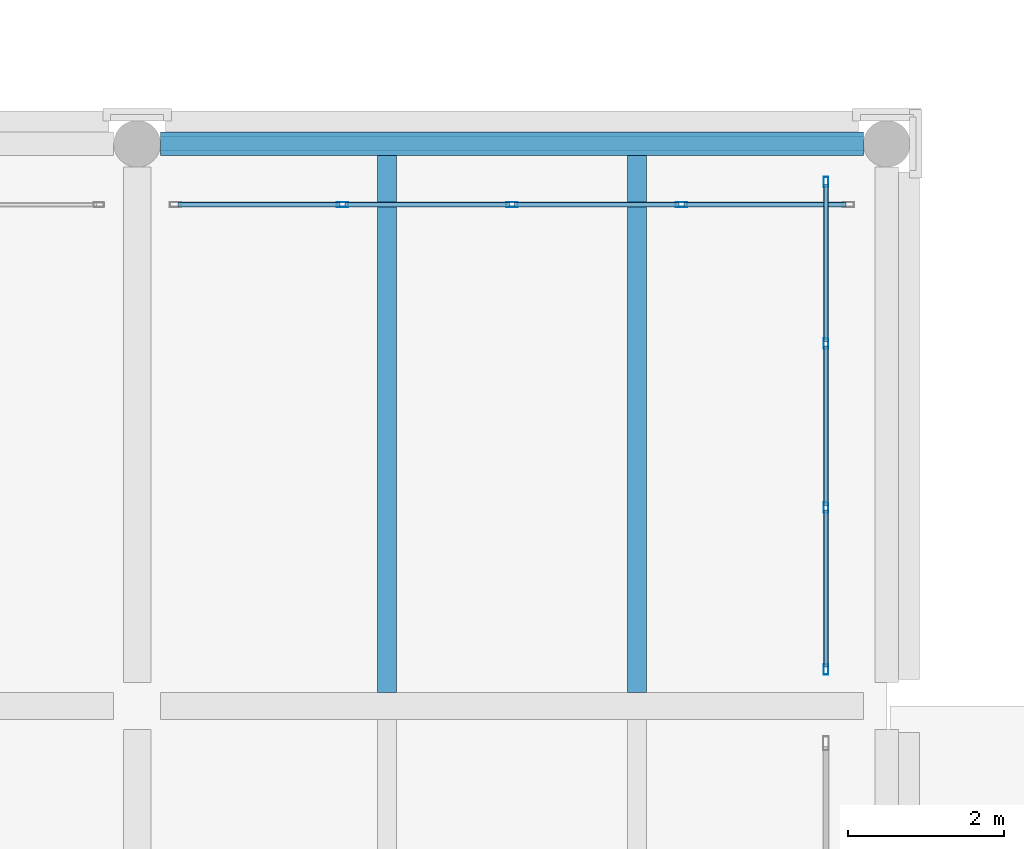
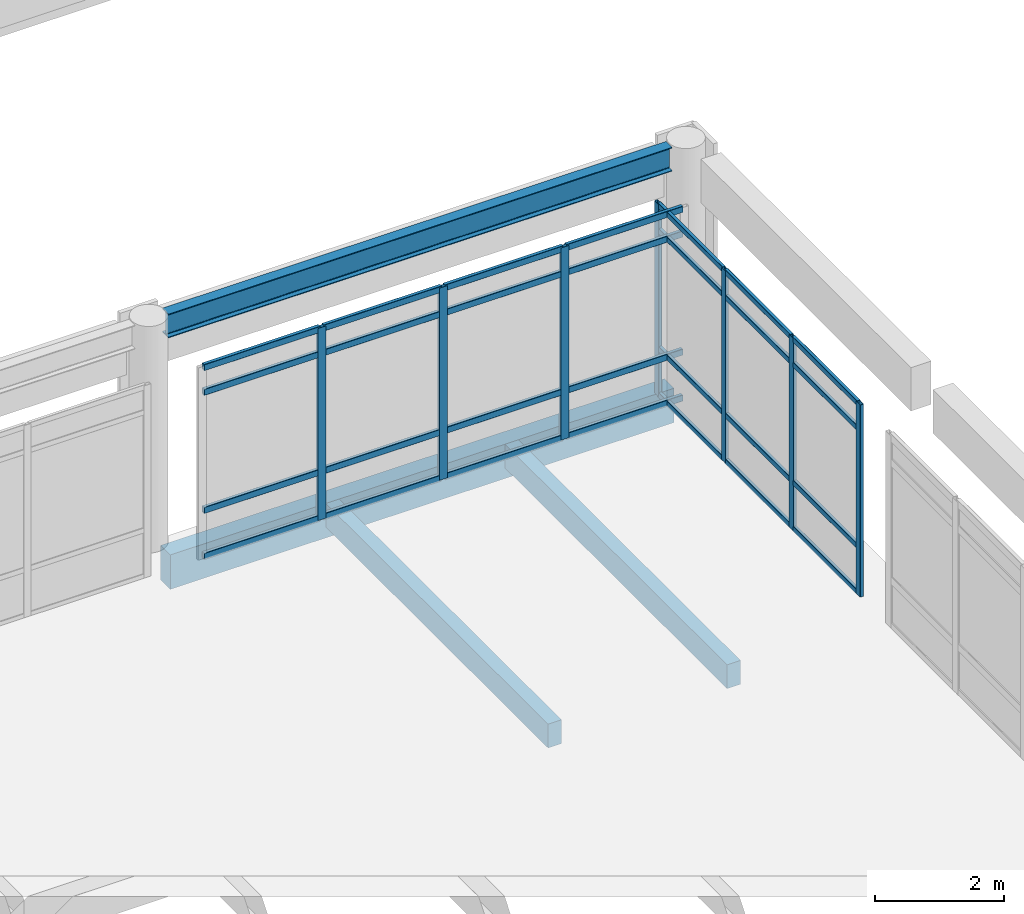
# One storey, part 69 of 180: 35 members, 4 beams, 2 elements without a shape of their own.
"""IFC4 building model written with IfcOpenShell, lengths in metres."""

from ifc_helpers import new_model, si_unit, direction, frame, origin, origin_2d, place, context, subcontext, project, spatial, rectangle, hollow_rectangle, i_section, extrude, material, layer, layer_set, material_profile, profile_set, type_object, element, aggregate, save


model = new_model("IFC4")

# Units and contexts
model_context = context("Model", 3, precision=1e-05, world=origin(), true_north=direction((0.0, 1.0)))
body_context = subcontext(model_context, "Body", "Model", "MODEL_VIEW")
ifc_project = project(units=[si_unit("LENGTHUNIT", "METRE"), si_unit("AREAUNIT", "SQUARE_METRE"), si_unit("VOLUMEUNIT", "CUBIC_METRE"), si_unit("PLANEANGLEUNIT", "RADIAN"), si_unit("MASSUNIT", "GRAM", prefix="KILO")], contexts=[model_context])

# Site, building, storey
site_placement = place(None, origin())
site = spatial("IfcSite", under=ifc_project, at=site_placement, CompositionType="ELEMENT")
building_placement = place(site_placement, origin())
building = spatial("IfcBuilding", under=site, at=building_placement, Name="Asteropetra Specialist Clinic", CompositionType="ELEMENT")
storey_placement = place(building_placement, frame((0.0, 0.0, 4.419921875)))
storey = spatial("IfcBuildingStorey", under=building, at=storey_placement, Name="L01", CompositionType="ELEMENT", Elevation=4.419921875)

# Beam
ifc_material_1 = material(Name="Steel S355", Category="steel")
ifc_material_profile_1 = material_profile(ifc_material_1, i_section(OverallWidth=0.18994140625, OverallDepth=0.449951171875, WebThickness=0.009521484375, FlangeThickness=0.0146484375, FilletRadius=0.02099609375, at=origin_2d()), Name="IPE 450")
ifc_profile_set_1 = profile_set([ifc_material_profile_1], Name="Steel S355")
beam_type_1 = type_object("IfcBeamType", Name="BM-STL-IPE450", PredefinedType="BEAM", material=ifc_profile_set_1)
beam_1_placement = place(storey_placement, frame((86.699951171875, 62.39990234375, 4.030029296875), z_axis=(1.0, 0.0, 0.0), x_axis=(0.0, 1.0, 0.0)))
element("IfcBeam", 1, at=beam_1_placement, inside=storey, type_object=beam_type_1, Name="Pavilion Eave Girder EG3-86-62", PredefinedType="BEAM", context=body_context, shape_type="SweptSolid", body=[
    extrude(i_section(OverallWidth=0.18994140625, OverallDepth=0.449951171875, WebThickness=0.009521484375, FlangeThickness=0.0146484375, FilletRadius=0.02099609375, at=origin_2d()), origin(), (0.0, 0.0, 1.0), 9.0),
])

# Curtain wall, members
ifc_material_2 = material(Name="Aluminium and low-E glass", Category="aluminium")
ifc_layer_1 = layer(ifc_material_2, 0.179931640625)
ifc_layer_set_1 = layer_set([ifc_layer_1], Name="Aluminium and low-E glass")
curtain_wall_type_1 = type_object("IfcCurtainWallType", Name="CW-SYS-01", PredefinedType="USERDEFINED", material=ifc_layer_set_1)
curtain_wall_1_placement = place(storey_placement, origin())
curtain_wall_1 = element("IfcCurtainWall", 2, at=curtain_wall_1_placement, inside=storey, type_object=curtain_wall_type_1, Name="Curtain Wall CW-182", ObjectType="UNITISED CURTAIN WALL", PredefinedType="USERDEFINED")
ifc_material_3 = material(Name="Aluminium 6063-T6", Category="aluminium")
ifc_material_profile_2 = material_profile(ifc_material_3, hollow_rectangle(XDim=0.06005859375, YDim=0.135009765625, WallThickness=0.00341796875, InnerFilletRadius=0.00341796875, OuterFilletRadius=0.007080078125, at=origin_2d()), Name="MUL 135x60x3.5")
ifc_profile_set_2 = profile_set([ifc_material_profile_2], Name="Aluminium 6063-T6")
member_type_1 = type_object("IfcMemberType", Name="CWM-135x60", PredefinedType="MULLION", material=ifc_profile_set_2)
member_1_placement = place(storey_placement, frame((95.219970703125, 55.669921875, 0.0), z_axis=(0.0, 0.0, 1.0), x_axis=(-1.0, 0.0, 0.0)))
member_1 = element("IfcMember", 3, at=member_1_placement, type_object=member_type_1, Name="CW-182 mullion 1", PredefinedType="MULLION", context=body_context, shape_type="SweptSolid", body=[
    extrude(hollow_rectangle(XDim=0.06005859375, YDim=0.135009765625, WallThickness=0.00341796875, InnerFilletRadius=0.00341796875, OuterFilletRadius=0.007080078125, at=origin_2d()), origin(), (0.0, 0.0, 1.0), 3.630126953125),
])
member_2_placement = place(storey_placement, frame((95.219970703125, 57.739990234375, 0.0), z_axis=(0.0, 0.0, 1.0), x_axis=(-1.0, 0.0, 0.0)))
member_2 = element("IfcMember", 4, at=member_2_placement, type_object=member_type_1, Name="CW-182 mullion 2", PredefinedType="MULLION", context=body_context, shape_type="SweptSolid", body=[
    extrude(hollow_rectangle(XDim=0.06005859375, YDim=0.135009765625, WallThickness=0.00341796875, InnerFilletRadius=0.00341796875, OuterFilletRadius=0.007080078125, at=origin_2d()), origin(), (0.0, 0.0, 1.0), 3.630126953125),
])
member_3_placement = place(storey_placement, frame((95.219970703125, 59.840087890625, 0.0), z_axis=(0.0, 0.0, 1.0), x_axis=(-1.0, 0.0, 0.0)))
member_3 = element("IfcMember", 5, at=member_3_placement, type_object=member_type_1, Name="CW-182 mullion 3", PredefinedType="MULLION", context=body_context, shape_type="SweptSolid", body=[
    extrude(hollow_rectangle(XDim=0.06005859375, YDim=0.135009765625, WallThickness=0.00341796875, InnerFilletRadius=0.00341796875, OuterFilletRadius=0.007080078125, at=origin_2d()), origin(), (0.0, 0.0, 1.0), 3.630126953125),
])
member_4_placement = place(storey_placement, frame((95.219970703125, 61.909912109375, 0.0), z_axis=(0.0, 0.0, 1.0), x_axis=(-1.0, 0.0, 0.0)))
member_4 = element("IfcMember", 6, at=member_4_placement, type_object=member_type_1, Name="CW-182 mullion 4", PredefinedType="MULLION", context=body_context, shape_type="SweptSolid", body=[
    extrude(hollow_rectangle(XDim=0.06005859375, YDim=0.135009765625, WallThickness=0.00341796875, InnerFilletRadius=0.00341796875, OuterFilletRadius=0.007080078125, at=origin_2d()), origin(), (0.0, 0.0, 1.0), 3.630126953125),
])

ifc_material_4 = material(Name="Aluminium and low-E glass", Category="aluminium")
ifc_layer_2 = layer(ifc_material_4, 0.14990234375)
ifc_layer_set_2 = layer_set([ifc_layer_2], Name="Aluminium and low-E glass")
curtain_wall_type_2 = type_object("IfcCurtainWallType", Name="CW-SYS-11", PredefinedType="USERDEFINED", material=ifc_layer_set_2)
curtain_wall_2_placement = place(storey_placement, origin())
curtain_wall_2 = element("IfcCurtainWall", 7, at=curtain_wall_2_placement, inside=storey, type_object=curtain_wall_type_2, Name="Curtain Wall CW-175", ObjectType="STICK GLAZED COLONNADE", PredefinedType="USERDEFINED")
ifc_material_5 = material(Name="Aluminium 6063-T6", Category="aluminium")
ifc_material_profile_3 = material_profile(ifc_material_5, hollow_rectangle(XDim=0.06494140625, YDim=0.14990234375, WallThickness=0.00390625, InnerFilletRadius=0.00390625, OuterFilletRadius=0.008056640625, at=origin_2d()), Name="MUL 150x65x4.0")
ifc_profile_set_3 = profile_set([ifc_material_profile_3], Name="Aluminium 6063-T6")
member_type_2 = type_object("IfcMemberType", Name="CWM-150x65", PredefinedType="MULLION", material=ifc_profile_set_3)
member_5_placement = place(storey_placement, frame((93.3701171875, 61.6201171875, 0.0), z_axis=(0.0, 0.0, 1.0), x_axis=(0.0, -1.0, 0.0)))
member_5 = element("IfcMember", 8, at=member_5_placement, type_object=member_type_2, Name="CW-175 mullion 2", PredefinedType="MULLION", context=body_context, shape_type="SweptSolid", body=[
    extrude(hollow_rectangle(XDim=0.06494140625, YDim=0.14990234375, WallThickness=0.00390625, InnerFilletRadius=0.00390625, OuterFilletRadius=0.008056640625, at=origin_2d()), origin(), (0.0, 0.0, 1.0), 3.630126953125),
])
member_6_placement = place(storey_placement, frame((91.199951171875, 61.6201171875, 0.0), z_axis=(0.0, 0.0, 1.0), x_axis=(0.0, -1.0, 0.0)))
member_6 = element("IfcMember", 9, at=member_6_placement, type_object=member_type_2, Name="CW-175 mullion 3", PredefinedType="MULLION", context=body_context, shape_type="SweptSolid", body=[
    extrude(hollow_rectangle(XDim=0.06494140625, YDim=0.14990234375, WallThickness=0.00390625, InnerFilletRadius=0.00390625, OuterFilletRadius=0.008056640625, at=origin_2d()), origin(), (0.0, 0.0, 1.0), 3.630126953125),
])
member_7_placement = place(storey_placement, frame((89.030029296875, 61.6201171875, 0.0), z_axis=(0.0, 0.0, 1.0), x_axis=(0.0, -1.0, 0.0)))
member_7 = element("IfcMember", 10, at=member_7_placement, type_object=member_type_2, Name="CW-175 mullion 4", PredefinedType="MULLION", context=body_context, shape_type="SweptSolid", body=[
    extrude(hollow_rectangle(XDim=0.06494140625, YDim=0.14990234375, WallThickness=0.00390625, InnerFilletRadius=0.00390625, OuterFilletRadius=0.008056640625, at=origin_2d()), origin(), (0.0, 0.0, 1.0), 3.630126953125),
])

# Member
ifc_material_6 = material(Name="Aluminium 6063-T6", Category="aluminium")
ifc_material_profile_4 = material_profile(ifc_material_6, hollow_rectangle(XDim=0.06005859375, YDim=0.10009765625, WallThickness=0.00341796875, InnerFilletRadius=0.00341796875, OuterFilletRadius=0.007080078125, at=origin_2d()), Name="TRN 100x60x3.5")
ifc_profile_set_4 = profile_set([ifc_material_profile_4], Name="Aluminium 6063-T6")
member_type_3 = type_object("IfcMemberType", Name="CWT-100x60", PredefinedType="USERDEFINED", material=ifc_profile_set_4)
member_8_placement = place(storey_placement, frame((95.219970703125, 55.699951171875, 0.030029296875), z_axis=(0.0, 1.0, 0.0), x_axis=(-1.0, 0.0, 0.0)))
member_8 = element("IfcMember", 11, at=member_8_placement, type_object=member_type_3, Name="CW-182 transom 1.1", ObjectType="TRANSOM", PredefinedType="USERDEFINED", context=body_context, shape_type="SweptSolid", body=[
    extrude(hollow_rectangle(XDim=0.06005859375, YDim=0.10009765625, WallThickness=0.00341796875, InnerFilletRadius=0.00341796875, OuterFilletRadius=0.007080078125, at=origin_2d()), origin(), (0.0, 0.0, 1.0), 2.010009765625),
])

member_9_placement = place(storey_placement, frame((95.219970703125, 55.699951171875, 0.900146484375), z_axis=(0.0, 1.0, 0.0), x_axis=(-1.0, 0.0, 0.0)))
member_9 = element("IfcMember", 12, at=member_9_placement, type_object=member_type_3, Name="CW-182 transom 1.2", ObjectType="TRANSOM", PredefinedType="USERDEFINED", context=body_context, shape_type="SweptSolid", body=[
    extrude(hollow_rectangle(XDim=0.06005859375, YDim=0.10009765625, WallThickness=0.00341796875, InnerFilletRadius=0.00341796875, OuterFilletRadius=0.007080078125, at=origin_2d()), origin(), (0.0, 0.0, 1.0), 2.010009765625),
])

member_10_placement = place(storey_placement, frame((95.219970703125, 55.699951171875, 3.130126953125), z_axis=(0.0, 1.0, 0.0), x_axis=(-1.0, 0.0, 0.0)))
member_10 = element("IfcMember", 13, at=member_10_placement, type_object=member_type_3, Name="CW-182 transom 1.3", ObjectType="TRANSOM", PredefinedType="USERDEFINED", context=body_context, shape_type="SweptSolid", body=[
    extrude(hollow_rectangle(XDim=0.06005859375, YDim=0.10009765625, WallThickness=0.00341796875, InnerFilletRadius=0.00341796875, OuterFilletRadius=0.007080078125, at=origin_2d()), origin(), (0.0, 0.0, 1.0), 2.010009765625),
])

member_11_placement = place(storey_placement, frame((95.219970703125, 55.699951171875, 3.60009765625), z_axis=(0.0, 1.0, 0.0), x_axis=(-1.0, 0.0, 0.0)))
member_11 = element("IfcMember", 14, at=member_11_placement, type_object=member_type_3, Name="CW-182 transom 1.4", ObjectType="TRANSOM", PredefinedType="USERDEFINED", context=body_context, shape_type="SweptSolid", body=[
    extrude(hollow_rectangle(XDim=0.06005859375, YDim=0.10009765625, WallThickness=0.00341796875, InnerFilletRadius=0.00341796875, OuterFilletRadius=0.007080078125, at=origin_2d()), origin(), (0.0, 0.0, 1.0), 2.010009765625),
])

member_12_placement = place(storey_placement, frame((95.219970703125, 57.77001953125, 0.030029296875), z_axis=(0.0, 1.0, 0.0), x_axis=(-1.0, 0.0, 0.0)))
member_12 = element("IfcMember", 15, at=member_12_placement, type_object=member_type_3, Name="CW-182 transom 2.1", ObjectType="TRANSOM", PredefinedType="USERDEFINED", context=body_context, shape_type="SweptSolid", body=[
    extrude(hollow_rectangle(XDim=0.06005859375, YDim=0.10009765625, WallThickness=0.00341796875, InnerFilletRadius=0.00341796875, OuterFilletRadius=0.007080078125, at=origin_2d()), origin(), (0.0, 0.0, 1.0), 2.0400390625),
])

member_13_placement = place(storey_placement, frame((95.219970703125, 57.77001953125, 0.900146484375), z_axis=(0.0, 1.0, 0.0), x_axis=(-1.0, 0.0, 0.0)))
member_13 = element("IfcMember", 16, at=member_13_placement, type_object=member_type_3, Name="CW-182 transom 2.2", ObjectType="TRANSOM", PredefinedType="USERDEFINED", context=body_context, shape_type="SweptSolid", body=[
    extrude(hollow_rectangle(XDim=0.06005859375, YDim=0.10009765625, WallThickness=0.00341796875, InnerFilletRadius=0.00341796875, OuterFilletRadius=0.007080078125, at=origin_2d()), origin(), (0.0, 0.0, 1.0), 2.0400390625),
])

member_14_placement = place(storey_placement, frame((95.219970703125, 57.77001953125, 3.130126953125), z_axis=(0.0, 1.0, 0.0), x_axis=(-1.0, 0.0, 0.0)))
member_14 = element("IfcMember", 17, at=member_14_placement, type_object=member_type_3, Name="CW-182 transom 2.3", ObjectType="TRANSOM", PredefinedType="USERDEFINED", context=body_context, shape_type="SweptSolid", body=[
    extrude(hollow_rectangle(XDim=0.06005859375, YDim=0.10009765625, WallThickness=0.00341796875, InnerFilletRadius=0.00341796875, OuterFilletRadius=0.007080078125, at=origin_2d()), origin(), (0.0, 0.0, 1.0), 2.0400390625),
])

member_15_placement = place(storey_placement, frame((95.219970703125, 57.77001953125, 3.60009765625), z_axis=(0.0, 1.0, 0.0), x_axis=(-1.0, 0.0, 0.0)))
member_15 = element("IfcMember", 18, at=member_15_placement, type_object=member_type_3, Name="CW-182 transom 2.4", ObjectType="TRANSOM", PredefinedType="USERDEFINED", context=body_context, shape_type="SweptSolid", body=[
    extrude(hollow_rectangle(XDim=0.06005859375, YDim=0.10009765625, WallThickness=0.00341796875, InnerFilletRadius=0.00341796875, OuterFilletRadius=0.007080078125, at=origin_2d()), origin(), (0.0, 0.0, 1.0), 2.0400390625),
])

member_16_placement = place(storey_placement, frame((95.219970703125, 59.8701171875, 0.030029296875), z_axis=(0.0, 1.0, 0.0), x_axis=(-1.0, 0.0, 0.0)))
member_16 = element("IfcMember", 19, at=member_16_placement, type_object=member_type_3, Name="CW-182 transom 3.1", ObjectType="TRANSOM", PredefinedType="USERDEFINED", context=body_context, shape_type="SweptSolid", body=[
    extrude(hollow_rectangle(XDim=0.06005859375, YDim=0.10009765625, WallThickness=0.00341796875, InnerFilletRadius=0.00341796875, OuterFilletRadius=0.007080078125, at=origin_2d()), origin(), (0.0, 0.0, 1.0), 2.009765625),
])

member_17_placement = place(storey_placement, frame((95.219970703125, 59.8701171875, 0.900146484375), z_axis=(0.0, 1.0, 0.0), x_axis=(-1.0, 0.0, 0.0)))
member_17 = element("IfcMember", 20, at=member_17_placement, type_object=member_type_3, Name="CW-182 transom 3.2", ObjectType="TRANSOM", PredefinedType="USERDEFINED", context=body_context, shape_type="SweptSolid", body=[
    extrude(hollow_rectangle(XDim=0.06005859375, YDim=0.10009765625, WallThickness=0.00341796875, InnerFilletRadius=0.00341796875, OuterFilletRadius=0.007080078125, at=origin_2d()), origin(), (0.0, 0.0, 1.0), 2.009765625),
])

member_18_placement = place(storey_placement, frame((95.219970703125, 59.8701171875, 3.130126953125), z_axis=(0.0, 1.0, 0.0), x_axis=(-1.0, 0.0, 0.0)))
member_18 = element("IfcMember", 21, at=member_18_placement, type_object=member_type_3, Name="CW-182 transom 3.3", ObjectType="TRANSOM", PredefinedType="USERDEFINED", context=body_context, shape_type="SweptSolid", body=[
    extrude(hollow_rectangle(XDim=0.06005859375, YDim=0.10009765625, WallThickness=0.00341796875, InnerFilletRadius=0.00341796875, OuterFilletRadius=0.007080078125, at=origin_2d()), origin(), (0.0, 0.0, 1.0), 2.009765625),
])

member_19_placement = place(storey_placement, frame((95.219970703125, 59.8701171875, 3.60009765625), z_axis=(0.0, 1.0, 0.0), x_axis=(-1.0, 0.0, 0.0)))
member_19 = element("IfcMember", 22, at=member_19_placement, type_object=member_type_3, Name="CW-182 transom 3.4", ObjectType="TRANSOM", PredefinedType="USERDEFINED", context=body_context, shape_type="SweptSolid", body=[
    extrude(hollow_rectangle(XDim=0.06005859375, YDim=0.10009765625, WallThickness=0.00341796875, InnerFilletRadius=0.00341796875, OuterFilletRadius=0.007080078125, at=origin_2d()), origin(), (0.0, 0.0, 1.0), 2.009765625),
])

aggregate(curtain_wall_1, [member_1, member_2, member_3, member_4, member_8, member_9, member_10, member_11, member_12, member_13, member_14, member_15, member_16, member_17, member_18, member_19])

ifc_material_7 = material(Name="Aluminium 6063-T6", Category="aluminium")
ifc_material_profile_5 = material_profile(ifc_material_7, hollow_rectangle(XDim=0.06494140625, YDim=0.1201171875, WallThickness=0.00390625, InnerFilletRadius=0.00390625, OuterFilletRadius=0.008056640625, at=origin_2d()), Name="TRN 120x65x4.0")
ifc_profile_set_5 = profile_set([ifc_material_profile_5], Name="Aluminium 6063-T6")
member_type_4 = type_object("IfcMemberType", Name="CWT-120x65", PredefinedType="USERDEFINED", material=ifc_profile_set_5)
member_20_placement = place(storey_placement, frame((95.47509765625, 61.6201171875, 0.032470703125), z_axis=(-1.0, 0.0, 0.0), x_axis=(0.0, -1.0, 0.0)))
member_20 = element("IfcMember", 23, at=member_20_placement, type_object=member_type_4, Name="CW-175 transom 1.1", ObjectType="TRANSOM", PredefinedType="USERDEFINED", context=body_context, shape_type="SweptSolid", body=[
    extrude(hollow_rectangle(XDim=0.06494140625, YDim=0.1201171875, WallThickness=0.00390625, InnerFilletRadius=0.00390625, OuterFilletRadius=0.008056640625, at=origin_2d()), origin(), (0.0, 0.0, 1.0), 2.072509765625),
])

member_21_placement = place(storey_placement, frame((95.47509765625, 61.6201171875, 0.900146484375), z_axis=(-1.0, 0.0, 0.0), x_axis=(0.0, -1.0, 0.0)))
member_21 = element("IfcMember", 24, at=member_21_placement, type_object=member_type_4, Name="CW-175 transom 1.2", ObjectType="TRANSOM", PredefinedType="USERDEFINED", context=body_context, shape_type="SweptSolid", body=[
    extrude(hollow_rectangle(XDim=0.06494140625, YDim=0.1201171875, WallThickness=0.00390625, InnerFilletRadius=0.00390625, OuterFilletRadius=0.008056640625, at=origin_2d()), origin(), (0.0, 0.0, 1.0), 2.072509765625),
])

member_22_placement = place(storey_placement, frame((95.47509765625, 61.6201171875, 3.130126953125), z_axis=(-1.0, 0.0, 0.0), x_axis=(0.0, -1.0, 0.0)))
member_22 = element("IfcMember", 25, at=member_22_placement, type_object=member_type_4, Name="CW-175 transom 1.3", ObjectType="TRANSOM", PredefinedType="USERDEFINED", context=body_context, shape_type="SweptSolid", body=[
    extrude(hollow_rectangle(XDim=0.06494140625, YDim=0.1201171875, WallThickness=0.00390625, InnerFilletRadius=0.00390625, OuterFilletRadius=0.008056640625, at=origin_2d()), origin(), (0.0, 0.0, 1.0), 2.072509765625),
])

member_23_placement = place(storey_placement, frame((95.47509765625, 61.6201171875, 3.59765625), z_axis=(-1.0, 0.0, 0.0), x_axis=(0.0, -1.0, 0.0)))
member_23 = element("IfcMember", 26, at=member_23_placement, type_object=member_type_4, Name="CW-175 transom 1.4", ObjectType="TRANSOM", PredefinedType="USERDEFINED", context=body_context, shape_type="SweptSolid", body=[
    extrude(hollow_rectangle(XDim=0.06494140625, YDim=0.1201171875, WallThickness=0.00390625, InnerFilletRadius=0.00390625, OuterFilletRadius=0.008056640625, at=origin_2d()), origin(), (0.0, 0.0, 1.0), 2.072509765625),
])

member_24_placement = place(storey_placement, frame((93.33740234375, 61.6201171875, 0.032470703125), z_axis=(-1.0, 0.0, 0.0), x_axis=(0.0, -1.0, 0.0)))
member_24 = element("IfcMember", 27, at=member_24_placement, type_object=member_type_4, Name="CW-175 transom 2.1", ObjectType="TRANSOM", PredefinedType="USERDEFINED", context=body_context, shape_type="SweptSolid", body=[
    extrude(hollow_rectangle(XDim=0.06494140625, YDim=0.1201171875, WallThickness=0.00390625, InnerFilletRadius=0.00390625, OuterFilletRadius=0.008056640625, at=origin_2d()), origin(), (0.0, 0.0, 1.0), 2.10498046875),
])

member_25_placement = place(storey_placement, frame((93.33740234375, 61.6201171875, 0.900146484375), z_axis=(-1.0, 0.0, 0.0), x_axis=(0.0, -1.0, 0.0)))
member_25 = element("IfcMember", 28, at=member_25_placement, type_object=member_type_4, Name="CW-175 transom 2.2", ObjectType="TRANSOM", PredefinedType="USERDEFINED", context=body_context, shape_type="SweptSolid", body=[
    extrude(hollow_rectangle(XDim=0.06494140625, YDim=0.1201171875, WallThickness=0.00390625, InnerFilletRadius=0.00390625, OuterFilletRadius=0.008056640625, at=origin_2d()), origin(), (0.0, 0.0, 1.0), 2.10498046875),
])

member_26_placement = place(storey_placement, frame((93.33740234375, 61.6201171875, 3.130126953125), z_axis=(-1.0, 0.0, 0.0), x_axis=(0.0, -1.0, 0.0)))
member_26 = element("IfcMember", 29, at=member_26_placement, type_object=member_type_4, Name="CW-175 transom 2.3", ObjectType="TRANSOM", PredefinedType="USERDEFINED", context=body_context, shape_type="SweptSolid", body=[
    extrude(hollow_rectangle(XDim=0.06494140625, YDim=0.1201171875, WallThickness=0.00390625, InnerFilletRadius=0.00390625, OuterFilletRadius=0.008056640625, at=origin_2d()), origin(), (0.0, 0.0, 1.0), 2.10498046875),
])

member_27_placement = place(storey_placement, frame((93.33740234375, 61.6201171875, 3.59765625), z_axis=(-1.0, 0.0, 0.0), x_axis=(0.0, -1.0, 0.0)))
member_27 = element("IfcMember", 30, at=member_27_placement, type_object=member_type_4, Name="CW-175 transom 2.4", ObjectType="TRANSOM", PredefinedType="USERDEFINED", context=body_context, shape_type="SweptSolid", body=[
    extrude(hollow_rectangle(XDim=0.06494140625, YDim=0.1201171875, WallThickness=0.00390625, InnerFilletRadius=0.00390625, OuterFilletRadius=0.008056640625, at=origin_2d()), origin(), (0.0, 0.0, 1.0), 2.10498046875),
])

member_28_placement = place(storey_placement, frame((91.16748046875, 61.6201171875, 0.032470703125), z_axis=(-1.0, 0.0, 0.0), x_axis=(0.0, -1.0, 0.0)))
member_28 = element("IfcMember", 31, at=member_28_placement, type_object=member_type_4, Name="CW-175 transom 3.1", ObjectType="TRANSOM", PredefinedType="USERDEFINED", context=body_context, shape_type="SweptSolid", body=[
    extrude(hollow_rectangle(XDim=0.06494140625, YDim=0.1201171875, WallThickness=0.00390625, InnerFilletRadius=0.00390625, OuterFilletRadius=0.008056640625, at=origin_2d()), origin(), (0.0, 0.0, 1.0), 2.10498046875),
])

member_29_placement = place(storey_placement, frame((91.16748046875, 61.6201171875, 0.900146484375), z_axis=(-1.0, 0.0, 0.0), x_axis=(0.0, -1.0, 0.0)))
member_29 = element("IfcMember", 32, at=member_29_placement, type_object=member_type_4, Name="CW-175 transom 3.2", ObjectType="TRANSOM", PredefinedType="USERDEFINED", context=body_context, shape_type="SweptSolid", body=[
    extrude(hollow_rectangle(XDim=0.06494140625, YDim=0.1201171875, WallThickness=0.00390625, InnerFilletRadius=0.00390625, OuterFilletRadius=0.008056640625, at=origin_2d()), origin(), (0.0, 0.0, 1.0), 2.10498046875),
])

member_30_placement = place(storey_placement, frame((91.16748046875, 61.6201171875, 3.130126953125), z_axis=(-1.0, 0.0, 0.0), x_axis=(0.0, -1.0, 0.0)))
member_30 = element("IfcMember", 33, at=member_30_placement, type_object=member_type_4, Name="CW-175 transom 3.3", ObjectType="TRANSOM", PredefinedType="USERDEFINED", context=body_context, shape_type="SweptSolid", body=[
    extrude(hollow_rectangle(XDim=0.06494140625, YDim=0.1201171875, WallThickness=0.00390625, InnerFilletRadius=0.00390625, OuterFilletRadius=0.008056640625, at=origin_2d()), origin(), (0.0, 0.0, 1.0), 2.10498046875),
])

member_31_placement = place(storey_placement, frame((91.16748046875, 61.6201171875, 3.59765625), z_axis=(-1.0, 0.0, 0.0), x_axis=(0.0, -1.0, 0.0)))
member_31 = element("IfcMember", 34, at=member_31_placement, type_object=member_type_4, Name="CW-175 transom 3.4", ObjectType="TRANSOM", PredefinedType="USERDEFINED", context=body_context, shape_type="SweptSolid", body=[
    extrude(hollow_rectangle(XDim=0.06494140625, YDim=0.1201171875, WallThickness=0.00390625, InnerFilletRadius=0.00390625, OuterFilletRadius=0.008056640625, at=origin_2d()), origin(), (0.0, 0.0, 1.0), 2.10498046875),
])

member_32_placement = place(storey_placement, frame((88.99755859375, 61.6201171875, 0.032470703125), z_axis=(-1.0, 0.0, 0.0), x_axis=(0.0, -1.0, 0.0)))
member_32 = element("IfcMember", 35, at=member_32_placement, type_object=member_type_4, Name="CW-175 transom 4.1", ObjectType="TRANSOM", PredefinedType="USERDEFINED", context=body_context, shape_type="SweptSolid", body=[
    extrude(hollow_rectangle(XDim=0.06494140625, YDim=0.1201171875, WallThickness=0.00390625, InnerFilletRadius=0.00390625, OuterFilletRadius=0.008056640625, at=origin_2d()), origin(), (0.0, 0.0, 1.0), 2.072509765625),
])

member_33_placement = place(storey_placement, frame((88.99755859375, 61.6201171875, 0.900146484375), z_axis=(-1.0, 0.0, 0.0), x_axis=(0.0, -1.0, 0.0)))
member_33 = element("IfcMember", 36, at=member_33_placement, type_object=member_type_4, Name="CW-175 transom 4.2", ObjectType="TRANSOM", PredefinedType="USERDEFINED", context=body_context, shape_type="SweptSolid", body=[
    extrude(hollow_rectangle(XDim=0.06494140625, YDim=0.1201171875, WallThickness=0.00390625, InnerFilletRadius=0.00390625, OuterFilletRadius=0.008056640625, at=origin_2d()), origin(), (0.0, 0.0, 1.0), 2.072509765625),
])

member_34_placement = place(storey_placement, frame((88.99755859375, 61.6201171875, 3.130126953125), z_axis=(-1.0, 0.0, 0.0), x_axis=(0.0, -1.0, 0.0)))
member_34 = element("IfcMember", 37, at=member_34_placement, type_object=member_type_4, Name="CW-175 transom 4.3", ObjectType="TRANSOM", PredefinedType="USERDEFINED", context=body_context, shape_type="SweptSolid", body=[
    extrude(hollow_rectangle(XDim=0.06494140625, YDim=0.1201171875, WallThickness=0.00390625, InnerFilletRadius=0.00390625, OuterFilletRadius=0.008056640625, at=origin_2d()), origin(), (0.0, 0.0, 1.0), 2.072509765625),
])

member_35_placement = place(storey_placement, frame((88.99755859375, 61.6201171875, 3.59765625), z_axis=(-1.0, 0.0, 0.0), x_axis=(0.0, -1.0, 0.0)))
member_35 = element("IfcMember", 38, at=member_35_placement, type_object=member_type_4, Name="CW-175 transom 4.4", ObjectType="TRANSOM", PredefinedType="USERDEFINED", context=body_context, shape_type="SweptSolid", body=[
    extrude(hollow_rectangle(XDim=0.06494140625, YDim=0.1201171875, WallThickness=0.00390625, InnerFilletRadius=0.00390625, OuterFilletRadius=0.008056640625, at=origin_2d()), origin(), (0.0, 0.0, 1.0), 2.072509765625),
])

aggregate(curtain_wall_2, [member_5, member_6, member_7, member_20, member_21, member_22, member_23, member_24, member_25, member_26, member_27, member_28, member_29, member_30, member_31, member_32, member_33, member_34, member_35])

# Beams
ifc_material_8 = material(Name="Concrete C35/45", Category="concrete")
ifc_material_profile_6 = material_profile(ifc_material_8, rectangle(XDim=0.239990234375, YDim=0.449951171875, at=origin_2d()), Name="RCJ 240x450")
ifc_profile_set_6 = profile_set([ifc_material_profile_6], Name="Concrete C35/45")
beam_type_2 = type_object("IfcBeamType", Name="JST-RC240x450", PredefinedType="JOIST", material=ifc_profile_set_6)
for number, where, z_axis, x_axis, name in (
    (39, (89.60009765625, 55.375, -0.48486328125), (0.0, 1.0, 0.0), (-1.0, 0.0, 0.0), "Joist JJST03-0798"),
    (40, (92.800048828125, 55.375, -0.48486328125), (0.0, 1.0, 0.0), (-1.0, 0.0, 0.0), "Joist JJST03-0799"),
):
    element("IfcBeam", number, at=place(storey_placement, frame(where, z_axis=z_axis, x_axis=x_axis)), inside=storey, type_object=beam_type_2, Name=name, PredefinedType="JOIST", context=body_context, shape_type="SweptSolid", body=[
        extrude(rectangle(XDim=0.239990234375, YDim=0.449951171875, at=origin_2d()), origin(), (0.0, 0.0, 1.0), 6.875),
    ])
ifc_material_9 = material(Name="Concrete C35/45", Category="concrete")
ifc_material_profile_7 = material_profile(ifc_material_9, rectangle(XDim=0.300048828125, YDim=0.64990234375, at=origin_2d()), Name="RCS 300x650")
ifc_profile_set_7 = profile_set([ifc_material_profile_7], Name="Concrete C35/45")
beam_type_3 = type_object("IfcBeamType", Name="SPN-RC300x650", PredefinedType="SPANDREL", material=ifc_profile_set_7)
beam_2_placement = place(storey_placement, frame((86.699951171875, 62.39990234375, -0.5849609375), z_axis=(1.0, 0.0, 0.0), x_axis=(0.0, 1.0, 0.0)))
element("IfcBeam", 41, at=beam_2_placement, inside=storey, type_object=beam_type_3, Name="Beam BSPN03-0773", PredefinedType="SPANDREL", context=body_context, shape_type="SweptSolid", body=[
    extrude(rectangle(XDim=0.300048828125, YDim=0.64990234375, at=origin_2d()), origin(), (0.0, 0.0, 1.0), 9.0),
])

save(model, "model.ifc")
